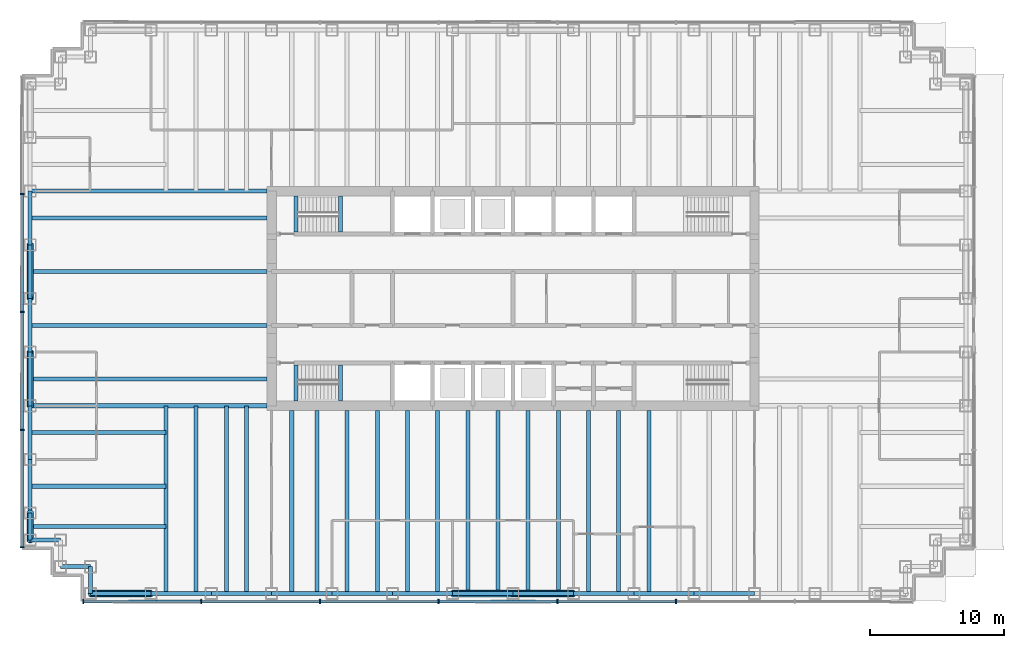
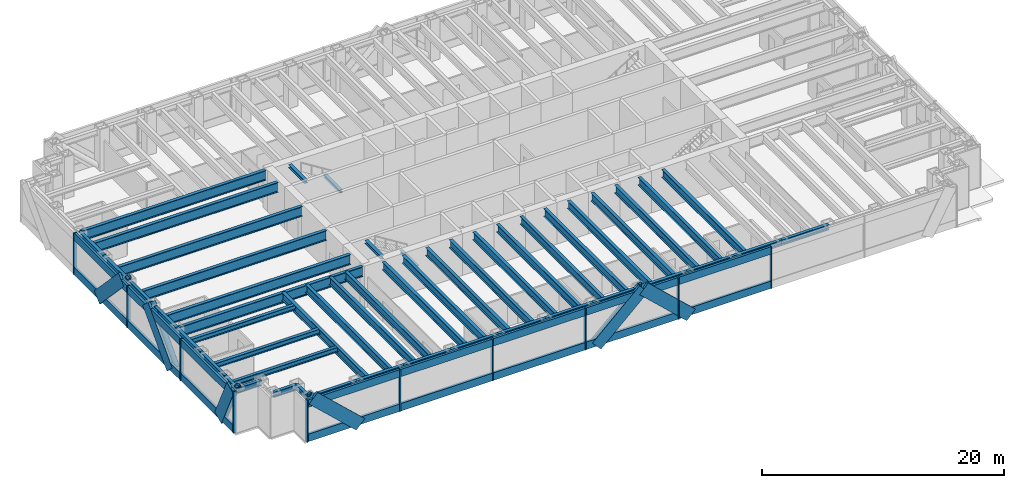
# One storey, part 2 of 12: 51 beams, 38 members, 2 elements without a shape of their own.
"""IFC4 building model written with IfcOpenShell, lengths in metres."""

from ifc_helpers import new_model, si_unit, direction, frame, origin, origin_2d, place, context, subcontext, project, spatial, rectangle, hollow_circle, i_section, extrude, material, material_profile, profile_set, type_object, element, aggregate, save


model = new_model("IFC4")

# Units and contexts
model_context = context("Model", 3, precision=1e-05, world=origin(), true_north=direction((0.0, 1.0)))
body_context = subcontext(model_context, "Body", "Model", "MODEL_VIEW")
ifc_project = project(units=[si_unit("LENGTHUNIT", "METRE"), si_unit("AREAUNIT", "SQUARE_METRE"), si_unit("VOLUMEUNIT", "CUBIC_METRE"), si_unit("PLANEANGLEUNIT", "RADIAN"), si_unit("MASSUNIT", "GRAM", prefix="KILO")], contexts=[model_context])

# Site, building, storey
site_placement = place(None, origin())
site = spatial("IfcSite", under=ifc_project, at=site_placement, CompositionType="ELEMENT")
building_placement = place(site_placement, origin())
building = spatial("IfcBuilding", under=site, at=building_placement, Name="Rheinbord Bourse Tower", CompositionType="ELEMENT")
storey_placement = place(building_placement, frame((0.0, 0.0, 271.10009765625)))
storey = spatial("IfcBuildingStorey", under=building, at=storey_placement, Name="L61", CompositionType="ELEMENT", Elevation=271.10009765625)

# Curtain wall, members
ifc_material_1 = material(Name="Dark glass and black aluminium", Category="aluminium")
curtain_wall_type = type_object("IfcCurtainWallType", Name="CW6 DARK GLASS CURTAIN WALL", PredefinedType="USERDEFINED", material=ifc_material_1)
curtain_wall_1_placement = place(storey_placement, origin())
curtain_wall_1 = element("IfcCurtainWall", 1, at=curtain_wall_1_placement, inside=storey, type_object=curtain_wall_type, Name="Curtain wall CW6 S L61", ObjectType="UNITISED CURTAIN WALL", PredefinedType="USERDEFINED")
ifc_material_2 = material(Name="Black anodised aluminium", Category="aluminium")
ifc_material_profile_1 = material_profile(ifc_material_2, rectangle(XDim=0.219970703125, YDim=1.2099609375, at=origin_2d()), Name="CW6 DIAGONAL MULLION 1210x220")
ifc_profile_set_1 = profile_set([ifc_material_profile_1], Name="Black anodised aluminium")
member_type_1 = type_object("IfcMemberType", Name="CW6 BLACK DIAGONAL MULLION", PredefinedType="USERDEFINED", material=ifc_profile_set_1)
member_1_placement = place(storey_placement, frame((31.5, 1.39990234375, 0.0), z_axis=(0.73105922506, 0.0, 0.682314010889), x_axis=(0.0, 1.0, 0.0)))
member_1 = element("IfcMember", 2, at=member_1_placement, type_object=member_type_1, Name="CW6 diagonal mullion a", ObjectType="DIAGONAL MULLION", PredefinedType="USERDEFINED", context=body_context, shape_type="SweptSolid", body=[
    extrude(rectangle(XDim=0.219970703125, YDim=1.2099609375, at=origin_2d()), origin(), (0.0, 0.0, 1.0), 6.155517578125),
])
member_2_placement = place(storey_placement, frame((40.5, 1.39990234375, 0.0), z_axis=(-0.73105922506, 0.0, 0.682314010889), x_axis=(0.0, -1.0, 0.0)))
member_2 = element("IfcMember", 3, at=member_2_placement, type_object=member_type_1, Name="CW6 diagonal mullion b", ObjectType="DIAGONAL MULLION", PredefinedType="USERDEFINED", context=body_context, shape_type="SweptSolid", body=[
    extrude(rectangle(XDim=0.219970703125, YDim=1.2099609375, at=origin_2d()), origin(), (0.0, 0.0, 1.0), 6.155517578125),
])
member_3_placement = place(storey_placement, frame((9.0, 1.39990234375, 0.0), z_axis=(-0.73105922506, 0.0, 0.682314010889), x_axis=(0.0, -1.0, 0.0)))
member_3 = element("IfcMember", 4, at=member_3_placement, type_object=member_type_1, Name="CW6 diagonal mullion d", ObjectType="DIAGONAL MULLION", PredefinedType="USERDEFINED", context=body_context, shape_type="SweptSolid", body=[
    extrude(rectangle(XDim=0.219970703125, YDim=1.2099609375, at=origin_2d()), origin(), (0.0, 0.0, 1.0), 6.155517578125),
])

curtain_wall_2_placement = place(storey_placement, origin())
curtain_wall_2 = element("IfcCurtainWall", 5, at=curtain_wall_2_placement, inside=storey, type_object=curtain_wall_type, Name="Curtain wall CW6 W L61", ObjectType="UNITISED CURTAIN WALL", PredefinedType="USERDEFINED")
member_4_placement = place(storey_placement, frame((-0.60009765625, 8.0, 0.0), z_axis=(0.0, -0.429937654825, 0.902858578607), x_axis=(1.0, 0.0, 0.0)))
member_4 = element("IfcMember", 6, at=member_4_placement, type_object=member_type_1, Name="CW6 diagonal mullion b", ObjectType="DIAGONAL MULLION", PredefinedType="USERDEFINED", context=body_context, shape_type="SweptSolid", body=[
    extrude(rectangle(XDim=0.219970703125, YDim=1.2099609375, at=origin_2d()), origin(), (0.0, 0.0, 1.0), 4.65185546875),
])
member_5_placement = place(storey_placement, frame((-0.60009765625, 28.0, 0.0), z_axis=(0.0, -0.689659376744, 0.724133926887), x_axis=(1.0, 0.0, 0.0)))
member_5 = element("IfcMember", 7, at=member_5_placement, type_object=member_type_1, Name="CW6 diagonal mullion c", ObjectType="DIAGONAL MULLION", PredefinedType="USERDEFINED", context=body_context, shape_type="SweptSolid", body=[
    extrude(rectangle(XDim=0.219970703125, YDim=1.2099609375, at=origin_2d()), origin(), (0.0, 0.0, 1.0), 5.800048828125),
])
member_6_placement = place(storey_placement, frame((-0.60009765625, 16.0, 0.0), z_axis=(0.0, 0.689659376744, 0.724133926887), x_axis=(-1.0, 0.0, 0.0)))
member_6 = element("IfcMember", 8, at=member_6_placement, type_object=member_type_1, Name="CW6 diagonal mullion d", ObjectType="DIAGONAL MULLION", PredefinedType="USERDEFINED", context=body_context, shape_type="SweptSolid", body=[
    extrude(rectangle(XDim=0.219970703125, YDim=1.2099609375, at=origin_2d()), origin(), (0.0, 0.0, 1.0), 5.800048828125),
])

# Member
ifc_material_3 = material(Name="Black anodised aluminium", Category="aluminium")
ifc_material_profile_2 = material_profile(ifc_material_3, rectangle(XDim=0.320068359375, YDim=0.10009765625, at=origin_2d()), Name="CW6 MULLION 100x320")
ifc_profile_set_2 = profile_set([ifc_material_profile_2], Name="Black anodised aluminium")
member_type_2 = type_object("IfcMemberType", Name="CW6 BLACK MULLION", PredefinedType="MULLION", material=ifc_profile_set_2)
member_7_placement = place(storey_placement, frame((3.949951171875, 1.39990234375, 0.0), z_axis=(0.0, 0.0, 1.0), x_axis=(0.0, 1.0, 0.0)))
member_7 = element("IfcMember", 9, at=member_7_placement, type_object=member_type_2, Name="CW6 mullion 1", PredefinedType="MULLION", context=body_context, shape_type="SweptSolid", body=[
    extrude(rectangle(XDim=0.320068359375, YDim=0.10009765625, at=origin_2d()), origin(), (0.0, 0.0, 1.0), 4.199951171875),
])

member_8_placement = place(storey_placement, frame((12.75, 1.39990234375, 0.0), z_axis=(0.0, 0.0, 1.0), x_axis=(0.0, 1.0, 0.0)))
member_8 = element("IfcMember", 10, at=member_8_placement, type_object=member_type_2, Name="CW6 mullion 2", PredefinedType="MULLION", context=body_context, shape_type="SweptSolid", body=[
    extrude(rectangle(XDim=0.320068359375, YDim=0.10009765625, at=origin_2d()), origin(), (0.0, 0.0, 1.0), 4.199951171875),
])

member_9_placement = place(storey_placement, frame((21.60009765625, 1.39990234375, 0.0), z_axis=(0.0, 0.0, 1.0), x_axis=(0.0, 1.0, 0.0)))
member_9 = element("IfcMember", 11, at=member_9_placement, type_object=member_type_2, Name="CW6 mullion 3", PredefinedType="MULLION", context=body_context, shape_type="SweptSolid", body=[
    extrude(rectangle(XDim=0.320068359375, YDim=0.10009765625, at=origin_2d()), origin(), (0.0, 0.0, 1.0), 4.199951171875),
])

member_10_placement = place(storey_placement, frame((30.449951171875, 1.39990234375, 0.0), z_axis=(0.0, 0.0, 1.0), x_axis=(0.0, 1.0, 0.0)))
member_10 = element("IfcMember", 12, at=member_10_placement, type_object=member_type_2, Name="CW6 mullion 4", PredefinedType="MULLION", context=body_context, shape_type="SweptSolid", body=[
    extrude(rectangle(XDim=0.320068359375, YDim=0.10009765625, at=origin_2d()), origin(), (0.0, 0.0, 1.0), 4.199951171875),
])

member_11_placement = place(storey_placement, frame((39.300048828125, 1.39990234375, 0.0), z_axis=(0.0, 0.0, 1.0), x_axis=(0.0, 1.0, 0.0)))
member_11 = element("IfcMember", 13, at=member_11_placement, type_object=member_type_2, Name="CW6 mullion 5", PredefinedType="MULLION", context=body_context, shape_type="SweptSolid", body=[
    extrude(rectangle(XDim=0.320068359375, YDim=0.10009765625, at=origin_2d()), origin(), (0.0, 0.0, 1.0), 4.199951171875),
])

member_12_placement = place(storey_placement, frame((48.14990234375, 1.39990234375, 0.0), z_axis=(0.0, 0.0, 1.0), x_axis=(0.0, 1.0, 0.0)))
member_12 = element("IfcMember", 14, at=member_12_placement, type_object=member_type_2, Name="CW6 mullion 6", PredefinedType="MULLION", context=body_context, shape_type="SweptSolid", body=[
    extrude(rectangle(XDim=0.320068359375, YDim=0.10009765625, at=origin_2d()), origin(), (0.0, 0.0, 1.0), 4.199951171875),
])

member_13_placement = place(storey_placement, frame((-0.60009765625, 31.800048828125, 0.0), z_axis=(0.0, 0.0, 1.0), x_axis=(1.0, 0.0, 0.0)))
member_13 = element("IfcMember", 15, at=member_13_placement, type_object=member_type_2, Name="CW6 mullion 2", PredefinedType="MULLION", context=body_context, shape_type="SweptSolid", body=[
    extrude(rectangle(XDim=0.320068359375, YDim=0.10009765625, at=origin_2d()), origin(), (0.0, 0.0, 1.0), 4.199951171875),
])

member_14_placement = place(storey_placement, frame((-0.60009765625, 23.0, 0.0), z_axis=(0.0, 0.0, 1.0), x_axis=(1.0, 0.0, 0.0)))
member_14 = element("IfcMember", 16, at=member_14_placement, type_object=member_type_2, Name="CW6 mullion 3", PredefinedType="MULLION", context=body_context, shape_type="SweptSolid", body=[
    extrude(rectangle(XDim=0.320068359375, YDim=0.10009765625, at=origin_2d()), origin(), (0.0, 0.0, 1.0), 4.199951171875),
])

member_15_placement = place(storey_placement, frame((-0.60009765625, 14.199951171875, 0.0), z_axis=(0.0, 0.0, 1.0), x_axis=(1.0, 0.0, 0.0)))
member_15 = element("IfcMember", 17, at=member_15_placement, type_object=member_type_2, Name="CW6 mullion 4", PredefinedType="MULLION", context=body_context, shape_type="SweptSolid", body=[
    extrude(rectangle(XDim=0.320068359375, YDim=0.10009765625, at=origin_2d()), origin(), (0.0, 0.0, 1.0), 4.199951171875),
])

member_16_placement = place(storey_placement, frame((-0.60009765625, 5.449951171875, 0.0), z_axis=(0.0, 0.0, 1.0), x_axis=(1.0, 0.0, 0.0)))
member_16 = element("IfcMember", 18, at=member_16_placement, type_object=member_type_2, Name="CW6 mullion 5", PredefinedType="MULLION", context=body_context, shape_type="SweptSolid", body=[
    extrude(rectangle(XDim=0.320068359375, YDim=0.10009765625, at=origin_2d()), origin(), (0.0, 0.0, 1.0), 4.199951171875),
])

ifc_material_4 = material(Name="Black anodised aluminium", Category="aluminium")
ifc_material_profile_3 = material_profile(ifc_material_4, rectangle(XDim=0.219970703125, YDim=0.75, at=origin_2d()), Name="CW6 TRANSOM 750x220")
ifc_profile_set_3 = profile_set([ifc_material_profile_3], Name="Black anodised aluminium")
member_type_3 = type_object("IfcMemberType", Name="CW6 BLACK TRANSOM", PredefinedType="USERDEFINED", material=ifc_profile_set_3)
member_17_placement = place(storey_placement, frame((4.0, 1.39990234375, 0.375), z_axis=(1.0, 0.0, 0.0), x_axis=(0.0, 1.0, 0.0)))
member_17 = element("IfcMember", 19, at=member_17_placement, type_object=member_type_3, Name="CW6 transom 1.1", ObjectType="TRANSOM", PredefinedType="USERDEFINED", context=body_context, shape_type="SweptSolid", body=[
    extrude(rectangle(XDim=0.219970703125, YDim=0.75, at=origin_2d()), origin(), (0.0, 0.0, 1.0), 8.699951171875),
])

member_18_placement = place(storey_placement, frame((4.0, 1.39990234375, 3.824951171875), z_axis=(1.0, 0.0, 0.0), x_axis=(0.0, 1.0, 0.0)))
member_18 = element("IfcMember", 20, at=member_18_placement, type_object=member_type_3, Name="CW6 transom 1.2", ObjectType="TRANSOM", PredefinedType="USERDEFINED", context=body_context, shape_type="SweptSolid", body=[
    extrude(rectangle(XDim=0.219970703125, YDim=0.75, at=origin_2d()), origin(), (0.0, 0.0, 1.0), 8.699951171875),
])

member_19_placement = place(storey_placement, frame((12.800048828125, 1.39990234375, 0.375), z_axis=(1.0, 0.0, 0.0), x_axis=(0.0, 1.0, 0.0)))
member_19 = element("IfcMember", 21, at=member_19_placement, type_object=member_type_3, Name="CW6 transom 2.1", ObjectType="TRANSOM", PredefinedType="USERDEFINED", context=body_context, shape_type="SweptSolid", body=[
    extrude(rectangle(XDim=0.219970703125, YDim=0.75, at=origin_2d()), origin(), (0.0, 0.0, 1.0), 8.75),
])

member_20_placement = place(storey_placement, frame((12.800048828125, 1.39990234375, 3.824951171875), z_axis=(1.0, 0.0, 0.0), x_axis=(0.0, 1.0, 0.0)))
member_20 = element("IfcMember", 22, at=member_20_placement, type_object=member_type_3, Name="CW6 transom 2.2", ObjectType="TRANSOM", PredefinedType="USERDEFINED", context=body_context, shape_type="SweptSolid", body=[
    extrude(rectangle(XDim=0.219970703125, YDim=0.75, at=origin_2d()), origin(), (0.0, 0.0, 1.0), 8.75),
])

member_21_placement = place(storey_placement, frame((21.64990234375, 1.39990234375, 0.375), z_axis=(1.0, 0.0, 0.0), x_axis=(0.0, 1.0, 0.0)))
member_21 = element("IfcMember", 23, at=member_21_placement, type_object=member_type_3, Name="CW6 transom 3.1", ObjectType="TRANSOM", PredefinedType="USERDEFINED", context=body_context, shape_type="SweptSolid", body=[
    extrude(rectangle(XDim=0.219970703125, YDim=0.75, at=origin_2d()), origin(), (0.0, 0.0, 1.0), 8.75),
])

member_22_placement = place(storey_placement, frame((21.64990234375, 1.39990234375, 3.824951171875), z_axis=(1.0, 0.0, 0.0), x_axis=(0.0, 1.0, 0.0)))
member_22 = element("IfcMember", 24, at=member_22_placement, type_object=member_type_3, Name="CW6 transom 3.2", ObjectType="TRANSOM", PredefinedType="USERDEFINED", context=body_context, shape_type="SweptSolid", body=[
    extrude(rectangle(XDim=0.219970703125, YDim=0.75, at=origin_2d()), origin(), (0.0, 0.0, 1.0), 8.75),
])

member_23_placement = place(storey_placement, frame((30.5, 1.39990234375, 0.375), z_axis=(1.0, 0.0, 0.0), x_axis=(0.0, 1.0, 0.0)))
member_23 = element("IfcMember", 25, at=member_23_placement, type_object=member_type_3, Name="CW6 transom 4.1", ObjectType="TRANSOM", PredefinedType="USERDEFINED", context=body_context, shape_type="SweptSolid", body=[
    extrude(rectangle(XDim=0.219970703125, YDim=0.75, at=origin_2d()), origin(), (0.0, 0.0, 1.0), 8.75),
])

member_24_placement = place(storey_placement, frame((30.5, 1.39990234375, 3.824951171875), z_axis=(1.0, 0.0, 0.0), x_axis=(0.0, 1.0, 0.0)))
member_24 = element("IfcMember", 26, at=member_24_placement, type_object=member_type_3, Name="CW6 transom 4.2", ObjectType="TRANSOM", PredefinedType="USERDEFINED", context=body_context, shape_type="SweptSolid", body=[
    extrude(rectangle(XDim=0.219970703125, YDim=0.75, at=origin_2d()), origin(), (0.0, 0.0, 1.0), 8.75),
])

member_25_placement = place(storey_placement, frame((39.35009765625, 1.39990234375, 0.375), z_axis=(1.0, 0.0, 0.0), x_axis=(0.0, 1.0, 0.0)))
member_25 = element("IfcMember", 27, at=member_25_placement, type_object=member_type_3, Name="CW6 transom 5.1", ObjectType="TRANSOM", PredefinedType="USERDEFINED", context=body_context, shape_type="SweptSolid", body=[
    extrude(rectangle(XDim=0.219970703125, YDim=0.75, at=origin_2d()), origin(), (0.0, 0.0, 1.0), 8.75),
])

member_26_placement = place(storey_placement, frame((39.35009765625, 1.39990234375, 3.824951171875), z_axis=(1.0, 0.0, 0.0), x_axis=(0.0, 1.0, 0.0)))
member_26 = element("IfcMember", 28, at=member_26_placement, type_object=member_type_3, Name="CW6 transom 5.2", ObjectType="TRANSOM", PredefinedType="USERDEFINED", context=body_context, shape_type="SweptSolid", body=[
    extrude(rectangle(XDim=0.219970703125, YDim=0.75, at=origin_2d()), origin(), (0.0, 0.0, 1.0), 8.75),
])

aggregate(curtain_wall_1, [member_7, member_8, member_9, member_10, member_11, member_12, member_17, member_18, member_19, member_20, member_21, member_22, member_23, member_24, member_25, member_26, member_1, member_2, member_3])

member_27_placement = place(storey_placement, frame((-0.60009765625, 31.75, 0.375), z_axis=(0.0, -1.0, 0.0), x_axis=(1.0, 0.0, 0.0)))
member_27 = element("IfcMember", 29, at=member_27_placement, type_object=member_type_3, Name="CW6 transom 2.1", ObjectType="TRANSOM", PredefinedType="USERDEFINED", context=body_context, shape_type="SweptSolid", body=[
    extrude(rectangle(XDim=0.219970703125, YDim=0.75, at=origin_2d()), origin(), (0.0, 0.0, 1.0), 8.699951171875),
])

member_28_placement = place(storey_placement, frame((-0.60009765625, 31.75, 3.824951171875), z_axis=(0.0, -1.0, 0.0), x_axis=(1.0, 0.0, 0.0)))
member_28 = element("IfcMember", 30, at=member_28_placement, type_object=member_type_3, Name="CW6 transom 2.2", ObjectType="TRANSOM", PredefinedType="USERDEFINED", context=body_context, shape_type="SweptSolid", body=[
    extrude(rectangle(XDim=0.219970703125, YDim=0.75, at=origin_2d()), origin(), (0.0, 0.0, 1.0), 8.699951171875),
])

member_29_placement = place(storey_placement, frame((-0.60009765625, 22.949951171875, 0.375), z_axis=(0.0, -1.0, 0.0), x_axis=(1.0, 0.0, 0.0)))
member_29 = element("IfcMember", 31, at=member_29_placement, type_object=member_type_3, Name="CW6 transom 3.1", ObjectType="TRANSOM", PredefinedType="USERDEFINED", context=body_context, shape_type="SweptSolid", body=[
    extrude(rectangle(XDim=0.219970703125, YDim=0.75, at=origin_2d()), origin(), (0.0, 0.0, 1.0), 8.699951171875),
])

member_30_placement = place(storey_placement, frame((-0.60009765625, 22.949951171875, 3.824951171875), z_axis=(0.0, -1.0, 0.0), x_axis=(1.0, 0.0, 0.0)))
member_30 = element("IfcMember", 32, at=member_30_placement, type_object=member_type_3, Name="CW6 transom 3.2", ObjectType="TRANSOM", PredefinedType="USERDEFINED", context=body_context, shape_type="SweptSolid", body=[
    extrude(rectangle(XDim=0.219970703125, YDim=0.75, at=origin_2d()), origin(), (0.0, 0.0, 1.0), 8.699951171875),
])

member_31_placement = place(storey_placement, frame((-0.60009765625, 14.14990234375, 0.375), z_axis=(0.0, -1.0, 0.0), x_axis=(1.0, 0.0, 0.0)))
member_31 = element("IfcMember", 33, at=member_31_placement, type_object=member_type_3, Name="CW6 transom 4.1", ObjectType="TRANSOM", PredefinedType="USERDEFINED", context=body_context, shape_type="SweptSolid", body=[
    extrude(rectangle(XDim=0.219970703125, YDim=0.75, at=origin_2d()), origin(), (0.0, 0.0, 1.0), 8.64990234375),
])

member_32_placement = place(storey_placement, frame((-0.60009765625, 14.14990234375, 3.824951171875), z_axis=(0.0, -1.0, 0.0), x_axis=(1.0, 0.0, 0.0)))
member_32 = element("IfcMember", 34, at=member_32_placement, type_object=member_type_3, Name="CW6 transom 4.2", ObjectType="TRANSOM", PredefinedType="USERDEFINED", context=body_context, shape_type="SweptSolid", body=[
    extrude(rectangle(XDim=0.219970703125, YDim=0.75, at=origin_2d()), origin(), (0.0, 0.0, 1.0), 8.64990234375),
])

aggregate(curtain_wall_2, [member_13, member_14, member_15, member_16, member_27, member_28, member_29, member_30, member_31, member_32, member_4, member_5, member_6])

# Beams
ifc_material_5 = material(Name="Steel S460", Category="steel")
ifc_material_profile_4 = material_profile(ifc_material_5, i_section(OverallWidth=0.302001953125, OverallDepth=1.008056640625, WebThickness=0.02099609375, FlangeThickness=0.0400390625, at=origin_2d()), Name="HEM 1000")
ifc_profile_set_4 = profile_set([ifc_material_profile_4], Name="Steel S460")
beam_type_1 = type_object("IfcBeamType", Name="END BEAM HEM 1000", PredefinedType="BEAM", material=ifc_profile_set_4)
for number, where, z_axis, x_axis, name in (
    (35, (0.0, 18.0, 3.535888671875), (1.0, 0.0, 0.0), (0.0, 1.0, 0.0), "End beam west 18 L62"),
    (36, (0.0, 22.0, 3.535888671875), (1.0, 0.0, 0.0), (0.0, 1.0, 0.0), "End beam west 22 L62"),
    (37, (0.0, 26.0, 3.535888671875), (1.0, 0.0, 0.0), (0.0, 1.0, 0.0), "End beam west 26 L62"),
    (38, (0.0, 30.0, 3.535888671875), (1.0, 0.0, 0.0), (0.0, 1.0, 0.0), "End beam west 30 L62"),
):
    element("IfcBeam", number, at=place(storey_placement, frame(where, z_axis=z_axis, x_axis=x_axis)), inside=storey, type_object=beam_type_1, Name=name, PredefinedType="BEAM", context=body_context, shape_type="SweptSolid", body=[
        extrude(i_section(OverallWidth=0.302001953125, OverallDepth=1.008056640625, WebThickness=0.02099609375, FlangeThickness=0.0400390625, at=origin_2d()), origin(), (0.0, 0.0, 1.0), 17.64990234375),
    ])
ifc_material_6 = material(Name="Steel S460", Category="steel")
ifc_material_profile_5 = material_profile(ifc_material_6, i_section(OverallWidth=0.300048828125, OverallDepth=0.800048828125, WebThickness=0.017578125, FlangeThickness=0.032958984375, at=origin_2d()), Name="HEB 800")
ifc_profile_set_5 = profile_set([ifc_material_profile_5], Name="Steel S460")
beam_type_2 = type_object("IfcBeamType", Name="FLOOR BEAM HEB 800", PredefinedType="BEAM", material=ifc_profile_set_5)
for number, where, z_axis, x_axis, name in (
    (39, (10.125, 2.0, 3.639892578125), (0.0, 1.0, 0.0), (-1.0, 0.0, 0.0), "Floor beam S-9a L62"),
    (40, (12.375, 2.0, 3.639892578125), (0.0, 1.0, 0.0), (-1.0, 0.0, 0.0), "Floor beam S-9b L62"),
    (41, (14.625, 2.0, 3.639892578125), (0.0, 1.0, 0.0), (-1.0, 0.0, 0.0), "Floor beam S-13.5a L62"),
    (42, (16.125, 2.0, 3.639892578125), (0.0, 1.0, 0.0), (-1.0, 0.0, 0.0), "Floor beam S-13.5b L62"),
):
    element("IfcBeam", number, at=place(storey_placement, frame(where, z_axis=z_axis, x_axis=x_axis)), inside=storey, type_object=beam_type_2, Name=name, PredefinedType="BEAM", context=body_context, shape_type="SweptSolid", body=[
        extrude(i_section(OverallWidth=0.300048828125, OverallDepth=0.800048828125, WebThickness=0.017578125, FlangeThickness=0.032958984375, at=origin_2d()), origin(), (0.0, 0.0, 1.0), 14.0),
    ])
for number, where, z_axis, x_axis, name in (
    (43, (19.5, 2.0, 3.639892578125), (0.0, 1.0, 0.0), (-1.0, 0.0, 0.0), "Floor beam S-18a L62"),
    (44, (21.375, 2.0, 3.639892578125), (0.0, 1.0, 0.0), (-1.0, 0.0, 0.0), "Floor beam S-18b L62"),
    (45, (23.625, 2.0, 3.639892578125), (0.0, 1.0, 0.0), (-1.0, 0.0, 0.0), "Floor beam S-22.5a L62"),
    (46, (25.875, 2.0, 3.639892578125), (0.0, 1.0, 0.0), (-1.0, 0.0, 0.0), "Floor beam S-22.5b L62"),
    (47, (28.125, 2.0, 3.639892578125), (0.0, 1.0, 0.0), (-1.0, 0.0, 0.0), "Floor beam S-27a L62"),
    (48, (30.375, 2.0, 3.639892578125), (0.0, 1.0, 0.0), (-1.0, 0.0, 0.0), "Floor beam S-27b L62"),
    (49, (32.625, 2.0, 3.639892578125), (0.0, 1.0, 0.0), (-1.0, 0.0, 0.0), "Floor beam S-31.5a L62"),
    (50, (34.875, 2.0, 3.639892578125), (0.0, 1.0, 0.0), (-1.0, 0.0, 0.0), "Floor beam S-31.5b L62"),
    (51, (37.125, 2.0, 3.639892578125), (0.0, 1.0, 0.0), (-1.0, 0.0, 0.0), "Floor beam S-36a L62"),
    (52, (39.375, 2.0, 3.639892578125), (0.0, 1.0, 0.0), (-1.0, 0.0, 0.0), "Floor beam S-36b L62"),
    (53, (41.625, 2.0, 3.639892578125), (0.0, 1.0, 0.0), (-1.0, 0.0, 0.0), "Floor beam S-40.5a L62"),
    (54, (43.875, 2.0, 3.639892578125), (0.0, 1.0, 0.0), (-1.0, 0.0, 0.0), "Floor beam S-40.5b L62"),
    (55, (46.125, 2.0, 3.639892578125), (0.0, 1.0, 0.0), (-1.0, 0.0, 0.0), "Floor beam S-45a L62"),
):
    element("IfcBeam", number, at=place(storey_placement, frame(where, z_axis=z_axis, x_axis=x_axis)), inside=storey, type_object=beam_type_2, Name=name, PredefinedType="BEAM", context=body_context, shape_type="SweptSolid", body=[
        extrude(i_section(OverallWidth=0.300048828125, OverallDepth=0.800048828125, WebThickness=0.017578125, FlangeThickness=0.032958984375, at=origin_2d()), origin(), (0.0, 0.0, 1.0), 13.64990234375),
    ])
ifc_material_7 = material(Name="Steel S460", Category="steel")
ifc_material_profile_6 = material_profile(ifc_material_7, i_section(OverallWidth=0.302001953125, OverallDepth=1.008056640625, WebThickness=0.02099609375, FlangeThickness=0.0400390625, at=origin_2d()), Name="HEM 1000")
ifc_profile_set_6 = profile_set([ifc_material_profile_6], Name="Steel S460")
beam_type_3 = type_object("IfcBeamType", Name="GIRDER HEM 1000", PredefinedType="BEAM", material=ifc_profile_set_6)
for number, where, z_axis, x_axis, name in (
    (56, (0.0, 16.0, 3.535888671875), (1.0, 0.0, 0.0), (0.0, 1.0, 0.0), "Girder west 16 L62"),
    (57, (0.0, 32.0, 3.535888671875), (1.0, 0.0, 0.0), (0.0, 1.0, 0.0), "Girder west 32 L62"),
):
    element("IfcBeam", number, at=place(storey_placement, frame(where, z_axis=z_axis, x_axis=x_axis)), inside=storey, type_object=beam_type_3, Name=name, PredefinedType="BEAM", context=body_context, shape_type="SweptSolid", body=[
        extrude(i_section(OverallWidth=0.302001953125, OverallDepth=1.008056640625, WebThickness=0.02099609375, FlangeThickness=0.0400390625, at=origin_2d()), origin(), (0.0, 0.0, 1.0), 17.64990234375),
    ])
ifc_material_8 = material(Name="Steel S460", Category="steel")
ifc_material_profile_7 = material_profile(ifc_material_8, i_section(OverallWidth=0.300048828125, OverallDepth=0.300048828125, WebThickness=0.010986328125, FlangeThickness=0.01904296875, at=origin_2d()), Name="HEB 300")
ifc_profile_set_7 = profile_set([ifc_material_profile_7], Name="Steel S460")
beam_type_4 = type_object("IfcBeamType", Name="LANDING TRIMMER HEB 300", PredefinedType="BEAM", material=ifc_profile_set_7)
for number, where, z_axis, x_axis, name in (
    (58, (23.1298828125, 16.35009765625, 1.75), (0.0, 1.0, 0.0), (-1.0, 0.0, 0.0), "Landing trimmer ST1 L61"),
    (59, (19.800048828125, 16.35009765625, 3.889892578125), (0.0, 1.0, 0.0), (-1.0, 0.0, 0.0), "Well trimmer ST1 under L62"),
    (60, (23.1298828125, 28.949951171875, 1.75), (0.0, 1.0, 0.0), (-1.0, 0.0, 0.0), "Landing trimmer ST2 L61"),
    (61, (19.800048828125, 28.949951171875, 3.889892578125), (0.0, 1.0, 0.0), (-1.0, 0.0, 0.0), "Well trimmer ST2 under L62"),
):
    element("IfcBeam", number, at=place(storey_placement, frame(where, z_axis=z_axis, x_axis=x_axis)), inside=storey, type_object=beam_type_4, Name=name, PredefinedType="BEAM", context=body_context, shape_type="SweptSolid", body=[
        extrude(i_section(OverallWidth=0.300048828125, OverallDepth=0.300048828125, WebThickness=0.010986328125, FlangeThickness=0.01904296875, at=origin_2d()), origin(), (0.0, 0.0, 1.0), 2.699951171875),
    ])

# Members
ifc_material_9 = material(Name="Steel S460", Category="steel")
ifc_material_profile_8 = material_profile(ifc_material_9, hollow_circle(Radius=0.25390625, WallThickness=0.030029296875, at=origin_2d()), Name="CHS 508x30")
ifc_profile_set_8 = profile_set([ifc_material_profile_8], Name="Steel S460")
member_type_4 = type_object("IfcMemberType", Name="MEGABRACE CHS 508x30", PredefinedType="BRACE", material=ifc_profile_set_8)
for number, where, z_axis, x_axis, name in (
    (62, (31.5, 2.0, 0.0), (0.73105922506, 0.0, 0.682314010889), (0.0, 1.0, 0.0), "Megabrace S face line a L61"),
    (63, (40.5, 2.0, 0.0), (-0.73105922506, 0.0, 0.682314010889), (0.0, -1.0, 0.0), "Megabrace S face line b L61"),
    (64, (9.0, 2.0, 0.0), (-0.73105922506, 0.0, 0.682314010889), (0.0, -1.0, 0.0), "Megabrace S face line d L61"),
):
    element("IfcMember", number, at=place(storey_placement, frame(where, z_axis=z_axis, x_axis=x_axis)), inside=storey, type_object=member_type_4, Name=name, PredefinedType="BRACE", context=body_context, shape_type="SweptSolid", body=[
        extrude(hollow_circle(Radius=0.25390625, WallThickness=0.030029296875, at=origin_2d()), origin(), (0.0, 0.0, 1.0), 6.155517578125),
    ])
member_33_placement = place(storey_placement, frame((0.0, 8.0, 0.0), z_axis=(0.0, -0.429937654825, 0.902858578607), x_axis=(1.0, 0.0, 0.0)))
element("IfcMember", 65, at=member_33_placement, inside=storey, type_object=member_type_4, Name="Megabrace W face line b L61", PredefinedType="BRACE", context=body_context, shape_type="SweptSolid", body=[
    extrude(hollow_circle(Radius=0.25390625, WallThickness=0.030029296875, at=origin_2d()), origin(), (0.0, 0.0, 1.0), 4.65185546875),
])
for number, where, z_axis, x_axis, name in (
    (66, (0.0, 28.0, 0.0), (0.0, -0.689659376744, 0.724133926887), (1.0, 0.0, 0.0), "Megabrace W face line c L61"),
    (67, (0.0, 16.0, 0.0), (0.0, 0.689659376744, 0.724133926887), (-1.0, 0.0, 0.0), "Megabrace W face line d L61"),
):
    element("IfcMember", number, at=place(storey_placement, frame(where, z_axis=z_axis, x_axis=x_axis)), inside=storey, type_object=member_type_4, Name=name, PredefinedType="BRACE", context=body_context, shape_type="SweptSolid", body=[
        extrude(hollow_circle(Radius=0.25390625, WallThickness=0.030029296875, at=origin_2d()), origin(), (0.0, 0.0, 1.0), 5.800048828125),
    ])

# Beams
ifc_material_10 = material(Name="Steel S460", Category="steel")
ifc_material_profile_9 = material_profile(ifc_material_10, i_section(OverallWidth=0.300048828125, OverallDepth=0.550048828125, WebThickness=0.014892578125, FlangeThickness=0.029052734375, at=origin_2d()), Name="HEB 550")
ifc_profile_set_9 = profile_set([ifc_material_profile_9], Name="Steel S460")
beam_type_5 = type_object("IfcBeamType", Name="SPANDREL HEB 550", PredefinedType="SPANDREL", material=ifc_profile_set_9)
for number, where, z_axis, x_axis, name in (
    (68, (4.5, 2.0, 3.764892578125), (1.0, 0.0, 0.0), (0.0, 1.0, 0.0), "Spandrel SW-E-S-9 under L62"),
    (69, (9.0, 2.0, 3.764892578125), (1.0, 0.0, 0.0), (0.0, 1.0, 0.0), "Spandrel S-9-S-13.5 under L62"),
    (70, (13.5, 2.0, 3.764892578125), (1.0, 0.0, 0.0), (0.0, 1.0, 0.0), "Spandrel S-13.5-S-18 under L62"),
    (71, (18.0, 2.0, 3.764892578125), (1.0, 0.0, 0.0), (0.0, 1.0, 0.0), "Spandrel S-18-S-22.5 under L62"),
    (72, (22.5, 2.0, 3.764892578125), (1.0, 0.0, 0.0), (0.0, 1.0, 0.0), "Spandrel S-22.5-S-27 under L62"),
    (73, (27.0, 2.0, 3.764892578125), (1.0, 0.0, 0.0), (0.0, 1.0, 0.0), "Spandrel S-27-S-31.5 under L62"),
    (74, (31.5, 2.0, 3.764892578125), (1.0, 0.0, 0.0), (0.0, 1.0, 0.0), "Spandrel S-31.5-S-36 under L62"),
    (75, (36.0, 2.0, 3.764892578125), (1.0, 0.0, 0.0), (0.0, 1.0, 0.0), "Spandrel S-36-S-40.5 under L62"),
    (76, (40.5, 2.0, 3.764892578125), (1.0, 0.0, 0.0), (0.0, 1.0, 0.0), "Spandrel S-40.5-S-45 under L62"),
    (77, (45.0, 2.0, 3.764892578125), (1.0, 0.0, 0.0), (0.0, 1.0, 0.0), "Spandrel S-45-S-49.5 under L62"),
    (78, (49.5, 2.0, 3.764892578125), (1.0, 0.0, 0.0), (0.0, 1.0, 0.0), "Spandrel S-49.5-S-54 under L62"),
):
    element("IfcBeam", number, at=place(storey_placement, frame(where, z_axis=z_axis, x_axis=x_axis)), inside=storey, type_object=beam_type_5, Name=name, PredefinedType="SPANDREL", context=body_context, shape_type="SweptSolid", body=[
        extrude(i_section(OverallWidth=0.300048828125, OverallDepth=0.550048828125, WebThickness=0.014892578125, FlangeThickness=0.029052734375, at=origin_2d()), origin(), (0.0, 0.0, 1.0), 4.5),
    ])
for number, where, z_axis, x_axis, name in (
    (79, (0.0, 32.0, 3.764892578125), (0.0, -1.0, 0.0), (1.0, 0.0, 0.0), "Spandrel W-32-W-28 under L62"),
    (80, (0.0, 28.0, 3.764892578125), (0.0, -1.0, 0.0), (1.0, 0.0, 0.0), "Spandrel W-28-W-24 under L62"),
    (81, (0.0, 24.0, 3.764892578125), (0.0, -1.0, 0.0), (1.0, 0.0, 0.0), "Spandrel W-24-W-20 under L62"),
    (82, (0.0, 20.0, 3.764892578125), (0.0, -1.0, 0.0), (1.0, 0.0, 0.0), "Spandrel W-20-W-16 under L62"),
    (83, (0.0, 16.0, 3.764892578125), (0.0, -1.0, 0.0), (1.0, 0.0, 0.0), "Spandrel W-16-W-12 under L62"),
    (84, (0.0, 12.0, 3.764892578125), (0.0, -1.0, 0.0), (1.0, 0.0, 0.0), "Spandrel W-12-W-8 under L62"),
):
    element("IfcBeam", number, at=place(storey_placement, frame(where, z_axis=z_axis, x_axis=x_axis)), inside=storey, type_object=beam_type_5, Name=name, PredefinedType="SPANDREL", context=body_context, shape_type="SweptSolid", body=[
        extrude(i_section(OverallWidth=0.300048828125, OverallDepth=0.550048828125, WebThickness=0.014892578125, FlangeThickness=0.029052734375, at=origin_2d()), origin(), (0.0, 0.0, 1.0), 4.0),
    ])
beam_1_placement = place(storey_placement, frame((0.0, 8.0, 3.764892578125), z_axis=(0.0, -1.0, 0.0), x_axis=(1.0, 0.0, 0.0)))
element("IfcBeam", 85, at=beam_1_placement, inside=storey, type_object=beam_type_5, Name="Spandrel W-8-SW-A under L62", PredefinedType="SPANDREL", context=body_context, shape_type="SweptSolid", body=[
    extrude(i_section(OverallWidth=0.300048828125, OverallDepth=0.550048828125, WebThickness=0.014892578125, FlangeThickness=0.029052734375, at=origin_2d()), origin(), (0.0, 0.0, 1.0), 2.0),
])
for number, where, z_axis, x_axis, name in (
    (86, (0.0, 6.0, 3.764892578125), (1.0, 0.0, 0.0), (0.0, 1.0, 0.0), "Spandrel SW-A-SW-B under L62"),
    (87, (2.25, 4.0, 3.764892578125), (1.0, 0.0, 0.0), (0.0, 1.0, 0.0), "Spandrel SW-C-SW-D under L62"),
):
    element("IfcBeam", number, at=place(storey_placement, frame(where, z_axis=z_axis, x_axis=x_axis)), inside=storey, type_object=beam_type_5, Name=name, PredefinedType="SPANDREL", context=body_context, shape_type="SweptSolid", body=[
        extrude(i_section(OverallWidth=0.300048828125, OverallDepth=0.550048828125, WebThickness=0.014892578125, FlangeThickness=0.029052734375, at=origin_2d()), origin(), (0.0, 0.0, 1.0), 2.25),
    ])
beam_2_placement = place(storey_placement, frame((4.5, 4.0, 3.764892578125), z_axis=(0.0, -1.0, 0.0), x_axis=(1.0, 0.0, 0.0)))
element("IfcBeam", 88, at=beam_2_placement, inside=storey, type_object=beam_type_5, Name="Spandrel SW-D-SW-E under L62", PredefinedType="SPANDREL", context=body_context, shape_type="SweptSolid", body=[
    extrude(i_section(OverallWidth=0.300048828125, OverallDepth=0.550048828125, WebThickness=0.014892578125, FlangeThickness=0.029052734375, at=origin_2d()), origin(), (0.0, 0.0, 1.0), 2.0),
])
ifc_material_11 = material(Name="Steel S460", Category="steel")
ifc_material_profile_10 = material_profile(ifc_material_11, i_section(OverallWidth=0.300048828125, OverallDepth=0.5, WebThickness=0.014404296875, FlangeThickness=0.028076171875, at=origin_2d()), Name="HEB 500")
ifc_profile_set_10 = profile_set([ifc_material_profile_10], Name="Steel S460")
beam_type_6 = type_object("IfcBeamType", Name="TIE BEAM HEB 500", PredefinedType="JOIST", material=ifc_profile_set_10)
for number, where, z_axis, x_axis, name in (
    (89, (0.0, 7.0, 3.789794921875), (1.0, 0.0, 0.0), (0.0, 1.0, 0.0), "Tie west 7 L62"),
    (90, (0.0, 10.0, 3.789794921875), (1.0, 0.0, 0.0), (0.0, 1.0, 0.0), "Tie west 10 L62"),
    (91, (0.0, 14.0, 3.789794921875), (1.0, 0.0, 0.0), (0.0, 1.0, 0.0), "Tie west 14 L62"),
):
    element("IfcBeam", number, at=place(storey_placement, frame(where, z_axis=z_axis, x_axis=x_axis)), inside=storey, type_object=beam_type_6, Name=name, PredefinedType="JOIST", context=body_context, shape_type="SweptSolid", body=[
        extrude(i_section(OverallWidth=0.300048828125, OverallDepth=0.5, WebThickness=0.014404296875, FlangeThickness=0.028076171875, at=origin_2d()), origin(), (0.0, 0.0, 1.0), 10.125),
    ])

save(model, "model.ifc")
